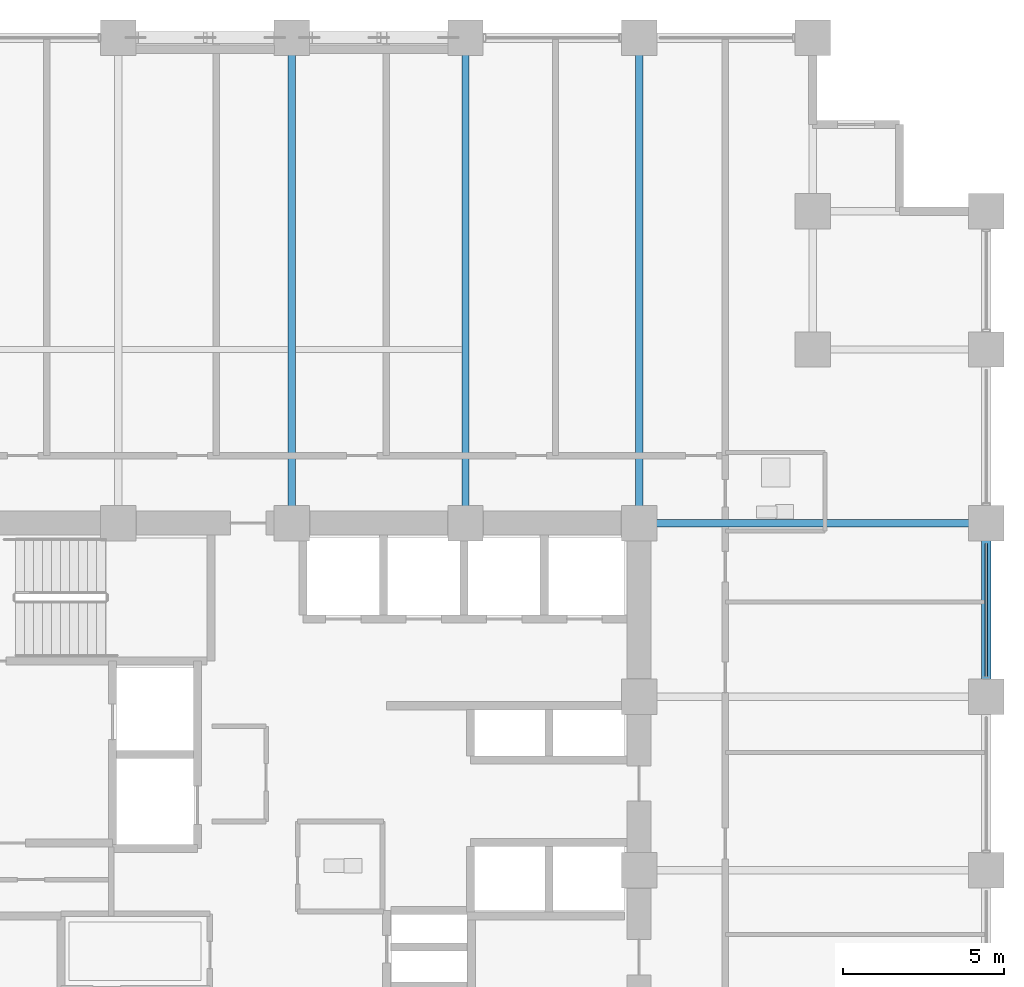
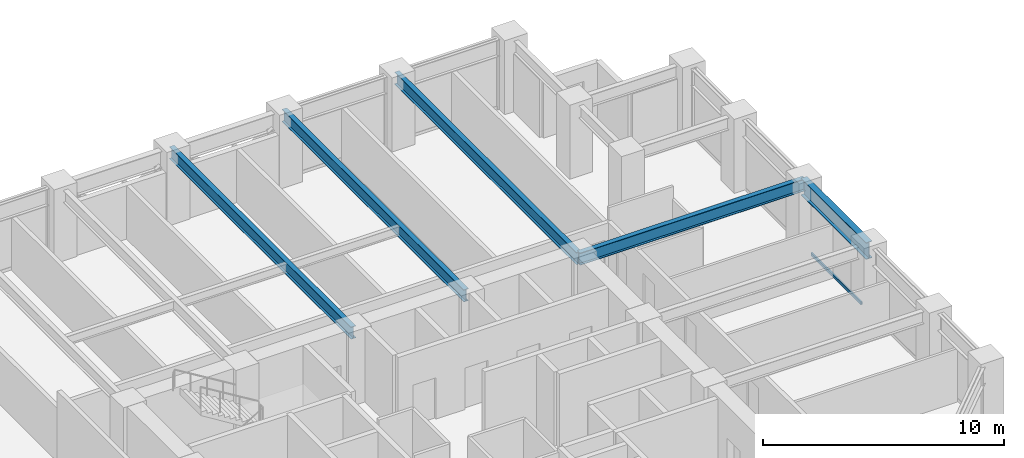
# One storey, part 14 of 25: 5 beams, 1 member, 1 element without a shape of its own.
"""IFC4 building model written with IfcOpenShell, lengths in metres."""

from ifc_helpers import new_model, si_unit, direction, frame, origin, origin_2d, place, context, subcontext, project, spatial, hollow_rectangle, i_section, extrude, material, layer, layer_set, material_profile, profile_set, type_object, element, aggregate, save


model = new_model("IFC4")

# Units and contexts
model_context = context("Model", 3, precision=1e-05, world=origin(), true_north=direction((0.0, 1.0)))
body_context = subcontext(model_context, "Body", "Model", "MODEL_VIEW")
ifc_project = project(units=[si_unit("LENGTHUNIT", "METRE"), si_unit("AREAUNIT", "SQUARE_METRE"), si_unit("VOLUMEUNIT", "CUBIC_METRE"), si_unit("PLANEANGLEUNIT", "RADIAN"), si_unit("MASSUNIT", "GRAM", prefix="KILO")], contexts=[model_context])

# Site, building, storey
site_placement = place(None, origin())
site = spatial("IfcSite", under=ifc_project, at=site_placement, CompositionType="ELEMENT")
building_placement = place(site_placement, origin())
building = spatial("IfcBuilding", under=site, at=building_placement, Name="Surkhivell Harbour Commons", CompositionType="ELEMENT")
storey_placement = place(building_placement, frame((0.0, 0.0, 124.5)))
storey = spatial("IfcBuildingStorey", under=building, at=storey_placement, Name="L32", CompositionType="ELEMENT", Elevation=124.5)

# Beams
ifc_material_1 = material(Name="Steel S355", Category="steel")
ifc_material_profile_1 = material_profile(ifc_material_1, i_section(OverallWidth=0.22998046875, OverallDepth=0.616943359375, WebThickness=0.01318359375, FlangeThickness=0.022216796875, at=origin_2d()), Name="UB610x229x140")
ifc_profile_set_1 = profile_set([ifc_material_profile_1], Name="Steel S355")
beam_type_1 = type_object("IfcBeamType", Name="BM-GRD-610B", PredefinedType="BEAM", material=ifc_profile_set_1)
for number, where, z_axis, x_axis, name in (
    (1, (0.0, 10.800048828125, 3.261474609375), (0.0, 1.0, 0.0), (-1.0, 0.0, 0.0), "L32 Floor Girder (0.0,10.8)"),
    (2, (5.39990234375, 10.800048828125, 3.261474609375), (0.0, 1.0, 0.0), (-1.0, 0.0, 0.0), "L32 Floor Girder (5.4,10.8)"),
    (3, (10.800048828125, 10.800048828125, 3.261474609375), (0.0, 1.0, 0.0), (-1.0, 0.0, 0.0), "L32 Floor Girder (10.8,10.8)"),
):
    element("IfcBeam", number, at=place(storey_placement, frame(where, z_axis=z_axis, x_axis=x_axis)), inside=storey, type_object=beam_type_1, Name=name, PredefinedType="BEAM", context=body_context, shape_type="SweptSolid", body=[
        extrude(i_section(OverallWidth=0.22998046875, OverallDepth=0.616943359375, WebThickness=0.01318359375, FlangeThickness=0.022216796875, at=origin_2d()), origin(), (0.0, 0.0, 1.0), 15.099853515625),
    ])
beam_1_placement = place(storey_placement, frame((10.800048828125, 10.800048828125, 3.261474609375), z_axis=(1.0, 0.0, 0.0), x_axis=(0.0, 1.0, 0.0)))
element("IfcBeam", 4, at=beam_1_placement, inside=storey, type_object=beam_type_1, Name="L32 Floor Girder (10.8,10.8)", PredefinedType="BEAM", context=body_context, shape_type="SweptSolid", body=[
    extrude(i_section(OverallWidth=0.22998046875, OverallDepth=0.616943359375, WebThickness=0.01318359375, FlangeThickness=0.022216796875, at=origin_2d()), origin(), (0.0, 0.0, 1.0), 10.800048828125),
])
ifc_material_2 = material(Name="Steel S460", Category="steel")
ifc_material_profile_2 = material_profile(ifc_material_2, i_section(OverallWidth=0.2939453125, OverallDepth=0.85107421875, WebThickness=0.01611328125, FlangeThickness=0.02685546875, at=origin_2d()), Name="UB838x292x226")
ifc_profile_set_2 = profile_set([ifc_material_profile_2], Name="Steel S460")
beam_type_2 = type_object("IfcBeamType", Name="BM-SPN-838", PredefinedType="SPANDREL", material=ifc_profile_set_2)
beam_2_placement = place(storey_placement, frame((21.60009765625, 5.39990234375, 3.14453125), z_axis=(0.0, 1.0, 0.0), x_axis=(-1.0, 0.0, 0.0)))
element("IfcBeam", 5, at=beam_2_placement, inside=storey, type_object=beam_type_2, Name="L32 Tube Spandrel (21.6,5.4)", PredefinedType="SPANDREL", context=body_context, shape_type="SweptSolid", body=[
    extrude(i_section(OverallWidth=0.2939453125, OverallDepth=0.85107421875, WebThickness=0.01611328125, FlangeThickness=0.02685546875, at=origin_2d()), origin(), (0.0, 0.0, 1.0), 5.400146484375),
])

# Curtain wall, member
ifc_material_3 = material(Name="Anodised pale-metal aluminium and insulated glazing", Category="aluminium")
ifc_layer = layer(ifc_material_3, 0.205078125)
ifc_layer_set = layer_set([ifc_layer], Name="Anodised pale-metal aluminium and insulated glazing")
curtain_wall_type = type_object("IfcCurtainWallType", Name="CW-SYS-Z2", PredefinedType="NOTDEFINED", material=ifc_layer_set)
curtain_wall_placement = place(storey_placement, origin())
curtain_wall = element("IfcCurtainWall", 6, at=curtain_wall_placement, inside=storey, type_object=curtain_wall_type, Name="L32 Curtain Wall CW-L32-E02", PredefinedType="NOTDEFINED")
ifc_material_4 = material(Name="Anodised pale-metal aluminium alloy 6063-T6", Category="aluminium")
ifc_material_profile_3 = material_profile(ifc_material_4, hollow_rectangle(XDim=0.074951171875, YDim=0.14990234375, WallThickness=0.00341796875, at=origin_2d()), Name="ALU-TRAN-75x150")
ifc_profile_set_3 = profile_set([ifc_material_profile_3], Name="Anodised pale-metal aluminium alloy 6063-T6")
member_type = type_object("IfcMemberType", Name="CWT-150", PredefinedType="USERDEFINED", material=ifc_profile_set_3)
member_placement = place(storey_placement, frame((21.60009765625, 6.027099609375, 0.074951171875), z_axis=(0.0, 1.0, 0.0), x_axis=(-1.0, 0.0, 0.0)))
member = element("IfcMember", 7, at=member_placement, type_object=member_type, Name="CW-Z2 transom 3.1", ObjectType="TRANSOM", PredefinedType="USERDEFINED", context=body_context, shape_type="SweptSolid", body=[
    extrude(hollow_rectangle(XDim=0.074951171875, YDim=0.14990234375, WallThickness=0.00341796875, at=origin_2d()), origin(), (0.0, 0.0, 1.0), 4.14599609375),
])
aggregate(curtain_wall, [member])

save(model, "model.ifc")
